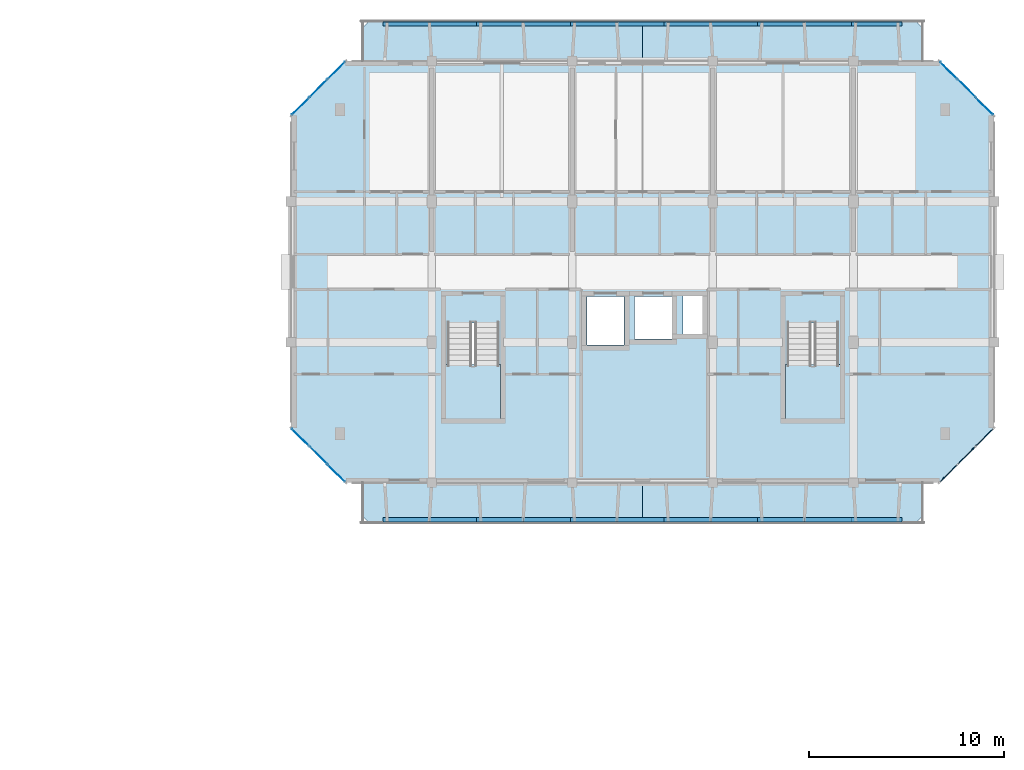
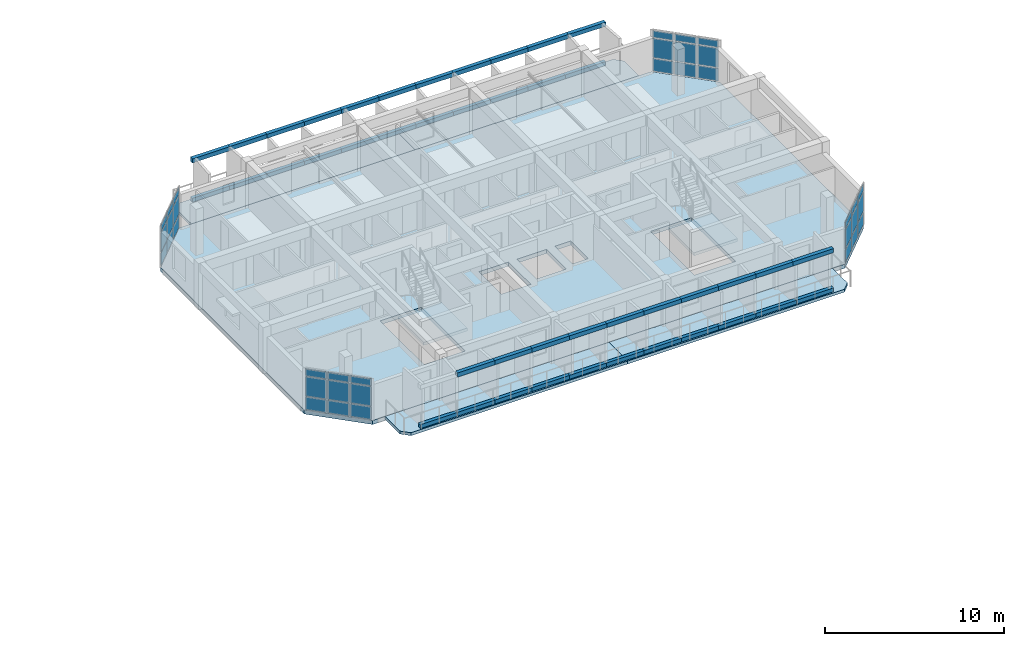
# One storey, part 14 of 44: 79 plates, 7 slabs, 6 elements without a shape of their own.
"""IFC4 building model written with IfcOpenShell, lengths in metres."""

from ifc_helpers import new_model, si_unit, direction, frame, origin, origin_2d, place, context, subcontext, project, spatial, polyline, rectangle, outline, extrude, material, layer, layer_set, type_object, element, aggregate, save


model = new_model("IFC4")

# Units and contexts
model_context = context("Model", 3, precision=1e-05, world=origin(), true_north=direction((0.0, 1.0)))
body_context = subcontext(model_context, "Body", "Model", "MODEL_VIEW")
ifc_project = project(units=[si_unit("LENGTHUNIT", "METRE"), si_unit("AREAUNIT", "SQUARE_METRE"), si_unit("VOLUMEUNIT", "CUBIC_METRE"), si_unit("PLANEANGLEUNIT", "RADIAN"), si_unit("MASSUNIT", "GRAM", prefix="KILO")], contexts=[model_context])

# Site, building, storey
site_placement = place(None, origin())
site = spatial("IfcSite", under=ifc_project, at=site_placement, CompositionType="ELEMENT")
building_placement = place(site_placement, origin())
building = spatial("IfcBuilding", under=site, at=building_placement, Name="Ochrevale Crest", CompositionType="ELEMENT")
storey_placement = place(building_placement, frame((0.0, 0.0, 21.300048828125)))
storey = spatial("IfcBuildingStorey", under=building, at=storey_placement, Name="L06", CompositionType="ELEMENT", Elevation=21.300048828125)

# Curtain wall, plates
ifc_material_1 = material(Name="Anodised aluminium 6063-T5", Category="aluminium")
ifc_layer_1 = layer(ifc_material_1, 0.14990234375)
ifc_layer_set_1 = layer_set([ifc_layer_1], Name="Anodised aluminium 6063-T5")
curtain_wall_type_1 = type_object("IfcCurtainWallType", Name="CW-WG-240x285", PredefinedType="NOTDEFINED", material=ifc_layer_set_1)
curtain_wall_1_placement = place(storey_placement, origin())
curtain_wall_1 = element("IfcCurtainWall", 1, at=curtain_wall_1_placement, inside=storey, type_object=curtain_wall_type_1, Name="Block D L06 chamfered corner wintergarden curtain wall 4", PredefinedType="NOTDEFINED")
ifc_material_2 = material(Name="Double-glazed low-E insulated glass unit", Category="glass")
ifc_layer_2 = layer(ifc_material_2, 0.028076171875)
ifc_layer_set_2 = layer_set([ifc_layer_2], Name="Double-glazed low-E insulated glass unit")
plate_type_1 = type_object("IfcPlateType", Name="CW-PNL-IGU28", PredefinedType="CURTAIN_PANEL", material=ifc_layer_set_2)
plate_1_placement = place(storey_placement, frame((165.1201171875, 91.280029296875, 0.06005859375), z_axis=(0.0, 0.0, 1.0), x_axis=(-0.707106781187, 0.707106781187, 0.0)))
plate_1 = element("IfcPlate", 2, at=plate_1_placement, type_object=plate_type_1, Name="CW15 panel 1.1", PredefinedType="CURTAIN_PANEL", context=body_context, shape_type="SweptSolid", body=[
    extrude(rectangle(XDim=1.20751953125, YDim=0.028076171875, at=origin_2d()), origin(), (0.0, 0.0, 1.0), 0.860107421875),
])
plate_2_placement = place(storey_placement, frame((165.1201171875, 91.280029296875, 0.97998046875), z_axis=(0.0, 0.0, 1.0), x_axis=(-0.707106781187, 0.707106781187, 0.0)))
plate_2 = element("IfcPlate", 3, at=plate_2_placement, type_object=plate_type_1, Name="CW15 panel 1.2", PredefinedType="CURTAIN_PANEL", context=body_context, shape_type="SweptSolid", body=[
    extrude(rectangle(XDim=1.20751953125, YDim=0.028076171875, at=origin_2d()), origin(), (0.0, 0.0, 1.0), 1.31494140625),
])
plate_3_placement = place(storey_placement, frame((165.1201171875, 91.280029296875, 2.35498046875), z_axis=(0.0, 0.0, 1.0), x_axis=(-0.707106781187, 0.707106781187, 0.0)))
plate_3 = element("IfcPlate", 4, at=plate_3_placement, type_object=plate_type_1, Name="CW15 panel 1.3", PredefinedType="CURTAIN_PANEL", context=body_context, shape_type="SweptSolid", body=[
    extrude(rectangle(XDim=1.20751953125, YDim=0.028076171875, at=origin_2d()), origin(), (0.0, 0.0, 1.0), 0.4599609375),
])
plate_4_placement = place(storey_placement, frame((164.199951171875, 92.199951171875, 0.06005859375), z_axis=(0.0, 0.0, 1.0), x_axis=(-0.707106781187, 0.707106781187, 0.0)))
plate_4 = element("IfcPlate", 5, at=plate_4_placement, type_object=plate_type_1, Name="CW15 panel 2.1", PredefinedType="CURTAIN_PANEL", context=body_context, shape_type="SweptSolid", body=[
    extrude(rectangle(XDim=1.244873046875, YDim=0.028076171875, at=origin_2d()), origin(), (0.0, 0.0, 1.0), 0.860107421875),
])
plate_5_placement = place(storey_placement, frame((164.199951171875, 92.199951171875, 0.97998046875), z_axis=(0.0, 0.0, 1.0), x_axis=(-0.707106781187, 0.707106781187, 0.0)))
plate_5 = element("IfcPlate", 6, at=plate_5_placement, type_object=plate_type_1, Name="CW15 panel 2.2", PredefinedType="CURTAIN_PANEL", context=body_context, shape_type="SweptSolid", body=[
    extrude(rectangle(XDim=1.244873046875, YDim=0.028076171875, at=origin_2d()), origin(), (0.0, 0.0, 1.0), 1.31494140625),
])
plate_6_placement = place(storey_placement, frame((164.199951171875, 92.199951171875, 2.35498046875), z_axis=(0.0, 0.0, 1.0), x_axis=(-0.707106781187, 0.707106781187, 0.0)))
plate_6 = element("IfcPlate", 7, at=plate_6_placement, type_object=plate_type_1, Name="CW15 panel 2.3", PredefinedType="CURTAIN_PANEL", context=body_context, shape_type="SweptSolid", body=[
    extrude(rectangle(XDim=1.244873046875, YDim=0.028076171875, at=origin_2d()), origin(), (0.0, 0.0, 1.0), 0.4599609375),
])
plate_7_placement = place(storey_placement, frame((163.280029296875, 93.1201171875, 0.06005859375), z_axis=(0.0, 0.0, 1.0), x_axis=(-0.707106781187, 0.707106781187, 0.0)))
plate_7 = element("IfcPlate", 8, at=plate_7_placement, type_object=plate_type_1, Name="CW15 panel 3.1", PredefinedType="CURTAIN_PANEL", context=body_context, shape_type="SweptSolid", body=[
    extrude(rectangle(XDim=1.20751953125, YDim=0.028076171875, at=origin_2d()), origin(), (0.0, 0.0, 1.0), 0.860107421875),
])
plate_8_placement = place(storey_placement, frame((163.280029296875, 93.1201171875, 0.97998046875), z_axis=(0.0, 0.0, 1.0), x_axis=(-0.707106781187, 0.707106781187, 0.0)))
plate_8 = element("IfcPlate", 9, at=plate_8_placement, type_object=plate_type_1, Name="CW15 panel 3.2", PredefinedType="CURTAIN_PANEL", context=body_context, shape_type="SweptSolid", body=[
    extrude(rectangle(XDim=1.20751953125, YDim=0.028076171875, at=origin_2d()), origin(), (0.0, 0.0, 1.0), 1.31494140625),
])
plate_9_placement = place(storey_placement, frame((163.280029296875, 93.1201171875, 2.35498046875), z_axis=(0.0, 0.0, 1.0), x_axis=(-0.707106781187, 0.707106781187, 0.0)))
plate_9 = element("IfcPlate", 10, at=plate_9_placement, type_object=plate_type_1, Name="CW15 panel 3.3", PredefinedType="CURTAIN_PANEL", context=body_context, shape_type="SweptSolid", body=[
    extrude(rectangle(XDim=1.20751953125, YDim=0.028076171875, at=origin_2d()), origin(), (0.0, 0.0, 1.0), 0.4599609375),
])
aggregate(curtain_wall_1, [plate_1, plate_2, plate_3, plate_4, plate_5, plate_6, plate_7, plate_8, plate_9])

ifc_layer_3 = layer(ifc_material_1, 0.14990234375)
ifc_layer_set_3 = layer_set([ifc_layer_3], Name="Anodised aluminium 6063-T5")
curtain_wall_type_2 = type_object("IfcCurtainWallType", Name="CW-WG-320x285", PredefinedType="NOTDEFINED", material=ifc_layer_set_3)
curtain_wall_2_placement = place(storey_placement, origin())
curtain_wall_2 = element("IfcCurtainWall", 11, at=curtain_wall_2_placement, inside=storey, type_object=curtain_wall_type_2, Name="Block D L06 chamfered corner wintergarden curtain wall 6", PredefinedType="NOTDEFINED")
plate_10_placement = place(storey_placement, frame((131.920166015625, 93.1201171875, 0.06005859375), z_axis=(0.0, 0.0, 1.0), x_axis=(-0.707106781187, -0.707106781187, 0.0)))
plate_10 = element("IfcPlate", 12, at=plate_10_placement, type_object=plate_type_1, Name="CW17 panel 1.1", PredefinedType="CURTAIN_PANEL", context=body_context, shape_type="SweptSolid", body=[
    extrude(rectangle(XDim=1.20751953125, YDim=0.028076171875, at=origin_2d()), origin(), (0.0, 0.0, 1.0), 0.860107421875),
])
plate_11_placement = place(storey_placement, frame((131.920166015625, 93.1201171875, 0.97998046875), z_axis=(0.0, 0.0, 1.0), x_axis=(-0.707106781187, -0.707106781187, 0.0)))
plate_11 = element("IfcPlate", 13, at=plate_11_placement, type_object=plate_type_1, Name="CW17 panel 1.2", PredefinedType="CURTAIN_PANEL", context=body_context, shape_type="SweptSolid", body=[
    extrude(rectangle(XDim=1.20751953125, YDim=0.028076171875, at=origin_2d()), origin(), (0.0, 0.0, 1.0), 1.31494140625),
])
plate_12_placement = place(storey_placement, frame((131.920166015625, 93.1201171875, 2.35498046875), z_axis=(0.0, 0.0, 1.0), x_axis=(-0.707106781187, -0.707106781187, 0.0)))
plate_12 = element("IfcPlate", 14, at=plate_12_placement, type_object=plate_type_1, Name="CW17 panel 1.3", PredefinedType="CURTAIN_PANEL", context=body_context, shape_type="SweptSolid", body=[
    extrude(rectangle(XDim=1.20751953125, YDim=0.028076171875, at=origin_2d()), origin(), (0.0, 0.0, 1.0), 0.4599609375),
])
plate_13_placement = place(storey_placement, frame((131.0, 92.199951171875, 0.06005859375), z_axis=(0.0, 0.0, 1.0), x_axis=(-0.707106781187, -0.707106781187, 0.0)))
plate_13 = element("IfcPlate", 15, at=plate_13_placement, type_object=plate_type_1, Name="CW17 panel 2.1", PredefinedType="CURTAIN_PANEL", context=body_context, shape_type="SweptSolid", body=[
    extrude(rectangle(XDim=1.244873046875, YDim=0.028076171875, at=origin_2d()), origin(), (0.0, 0.0, 1.0), 0.860107421875),
])
plate_14_placement = place(storey_placement, frame((131.0, 92.199951171875, 0.97998046875), z_axis=(0.0, 0.0, 1.0), x_axis=(-0.707106781187, -0.707106781187, 0.0)))
plate_14 = element("IfcPlate", 16, at=plate_14_placement, type_object=plate_type_1, Name="CW17 panel 2.2", PredefinedType="CURTAIN_PANEL", context=body_context, shape_type="SweptSolid", body=[
    extrude(rectangle(XDim=1.244873046875, YDim=0.028076171875, at=origin_2d()), origin(), (0.0, 0.0, 1.0), 1.31494140625),
])
plate_15_placement = place(storey_placement, frame((131.0, 92.199951171875, 2.35498046875), z_axis=(0.0, 0.0, 1.0), x_axis=(-0.707106781187, -0.707106781187, 0.0)))
plate_15 = element("IfcPlate", 17, at=plate_15_placement, type_object=plate_type_1, Name="CW17 panel 2.3", PredefinedType="CURTAIN_PANEL", context=body_context, shape_type="SweptSolid", body=[
    extrude(rectangle(XDim=1.244873046875, YDim=0.028076171875, at=origin_2d()), origin(), (0.0, 0.0, 1.0), 0.4599609375),
])
plate_16_placement = place(storey_placement, frame((130.079833984375, 91.280029296875, 0.06005859375), z_axis=(0.0, 0.0, 1.0), x_axis=(-0.707106781187, -0.707106781187, 0.0)))
plate_16 = element("IfcPlate", 18, at=plate_16_placement, type_object=plate_type_1, Name="CW17 panel 3.1", PredefinedType="CURTAIN_PANEL", context=body_context, shape_type="SweptSolid", body=[
    extrude(rectangle(XDim=1.20751953125, YDim=0.028076171875, at=origin_2d()), origin(), (0.0, 0.0, 1.0), 0.860107421875),
])
plate_17_placement = place(storey_placement, frame((130.079833984375, 91.280029296875, 0.97998046875), z_axis=(0.0, 0.0, 1.0), x_axis=(-0.707106781187, -0.707106781187, 0.0)))
plate_17 = element("IfcPlate", 19, at=plate_17_placement, type_object=plate_type_1, Name="CW17 panel 3.2", PredefinedType="CURTAIN_PANEL", context=body_context, shape_type="SweptSolid", body=[
    extrude(rectangle(XDim=1.20751953125, YDim=0.028076171875, at=origin_2d()), origin(), (0.0, 0.0, 1.0), 1.31494140625),
])
plate_18_placement = place(storey_placement, frame((130.079833984375, 91.280029296875, 2.35498046875), z_axis=(0.0, 0.0, 1.0), x_axis=(-0.707106781187, -0.707106781187, 0.0)))
plate_18 = element("IfcPlate", 20, at=plate_18_placement, type_object=plate_type_1, Name="CW17 panel 3.3", PredefinedType="CURTAIN_PANEL", context=body_context, shape_type="SweptSolid", body=[
    extrude(rectangle(XDim=1.20751953125, YDim=0.028076171875, at=origin_2d()), origin(), (0.0, 0.0, 1.0), 0.4599609375),
])
aggregate(curtain_wall_2, [plate_10, plate_11, plate_12, plate_13, plate_14, plate_15, plate_16, plate_17, plate_18])

ifc_layer_4 = layer(ifc_material_1, 0.14990234375)
ifc_layer_set_4 = layer_set([ifc_layer_4], Name="Anodised aluminium 6063-T5")
curtain_wall_type_3 = type_object("IfcCurtainWallType", Name="CW-WG-420x285", PredefinedType="NOTDEFINED", material=ifc_layer_set_4)
curtain_wall_3_placement = place(storey_placement, origin())
curtain_wall_3 = element("IfcCurtainWall", 21, at=curtain_wall_3_placement, inside=storey, type_object=curtain_wall_type_3, Name="Block D L06 chamfered corner wintergarden curtain wall 8", PredefinedType="NOTDEFINED")
plate_19_placement = place(storey_placement, frame((130.079833984375, 74.320068359375, 0.06005859375), z_axis=(0.0, 0.0, 1.0), x_axis=(0.707106781187, -0.707106781187, 0.0)))
plate_19 = element("IfcPlate", 22, at=plate_19_placement, type_object=plate_type_1, Name="CW22 panel 1.1", PredefinedType="CURTAIN_PANEL", context=body_context, shape_type="SweptSolid", body=[
    extrude(rectangle(XDim=1.20751953125, YDim=0.028076171875, at=origin_2d()), origin(), (0.0, 0.0, 1.0), 0.860107421875),
])
plate_20_placement = place(storey_placement, frame((130.079833984375, 74.320068359375, 0.97998046875), z_axis=(0.0, 0.0, 1.0), x_axis=(0.707106781187, -0.707106781187, 0.0)))
plate_20 = element("IfcPlate", 23, at=plate_20_placement, type_object=plate_type_1, Name="CW22 panel 1.2", PredefinedType="CURTAIN_PANEL", context=body_context, shape_type="SweptSolid", body=[
    extrude(rectangle(XDim=1.20751953125, YDim=0.028076171875, at=origin_2d()), origin(), (0.0, 0.0, 1.0), 1.31494140625),
])
plate_21_placement = place(storey_placement, frame((130.079833984375, 74.320068359375, 2.35498046875), z_axis=(0.0, 0.0, 1.0), x_axis=(0.707106781187, -0.707106781187, 0.0)))
plate_21 = element("IfcPlate", 24, at=plate_21_placement, type_object=plate_type_1, Name="CW22 panel 1.3", PredefinedType="CURTAIN_PANEL", context=body_context, shape_type="SweptSolid", body=[
    extrude(rectangle(XDim=1.20751953125, YDim=0.028076171875, at=origin_2d()), origin(), (0.0, 0.0, 1.0), 0.4599609375),
])
plate_22_placement = place(storey_placement, frame((131.0, 73.39990234375, 0.06005859375), z_axis=(0.0, 0.0, 1.0), x_axis=(0.707106781187, -0.707106781187, 0.0)))
plate_22 = element("IfcPlate", 25, at=plate_22_placement, type_object=plate_type_1, Name="CW22 panel 2.1", PredefinedType="CURTAIN_PANEL", context=body_context, shape_type="SweptSolid", body=[
    extrude(rectangle(XDim=1.244873046875, YDim=0.028076171875, at=origin_2d()), origin(), (0.0, 0.0, 1.0), 0.860107421875),
])
plate_23_placement = place(storey_placement, frame((131.0, 73.39990234375, 0.97998046875), z_axis=(0.0, 0.0, 1.0), x_axis=(0.707106781187, -0.707106781187, 0.0)))
plate_23 = element("IfcPlate", 26, at=plate_23_placement, type_object=plate_type_1, Name="CW22 panel 2.2", PredefinedType="CURTAIN_PANEL", context=body_context, shape_type="SweptSolid", body=[
    extrude(rectangle(XDim=1.244873046875, YDim=0.028076171875, at=origin_2d()), origin(), (0.0, 0.0, 1.0), 1.31494140625),
])
plate_24_placement = place(storey_placement, frame((131.0, 73.39990234375, 2.35498046875), z_axis=(0.0, 0.0, 1.0), x_axis=(0.707106781187, -0.707106781187, 0.0)))
plate_24 = element("IfcPlate", 27, at=plate_24_placement, type_object=plate_type_1, Name="CW22 panel 2.3", PredefinedType="CURTAIN_PANEL", context=body_context, shape_type="SweptSolid", body=[
    extrude(rectangle(XDim=1.244873046875, YDim=0.028076171875, at=origin_2d()), origin(), (0.0, 0.0, 1.0), 0.4599609375),
])
plate_25_placement = place(storey_placement, frame((131.920166015625, 72.47998046875, 0.06005859375), z_axis=(0.0, 0.0, 1.0), x_axis=(0.707106781187, -0.707106781187, 0.0)))
plate_25 = element("IfcPlate", 28, at=plate_25_placement, type_object=plate_type_1, Name="CW22 panel 3.1", PredefinedType="CURTAIN_PANEL", context=body_context, shape_type="SweptSolid", body=[
    extrude(rectangle(XDim=1.20751953125, YDim=0.028076171875, at=origin_2d()), origin(), (0.0, 0.0, 1.0), 0.860107421875),
])
plate_26_placement = place(storey_placement, frame((131.920166015625, 72.47998046875, 0.97998046875), z_axis=(0.0, 0.0, 1.0), x_axis=(0.707106781187, -0.707106781187, 0.0)))
plate_26 = element("IfcPlate", 29, at=plate_26_placement, type_object=plate_type_1, Name="CW22 panel 3.2", PredefinedType="CURTAIN_PANEL", context=body_context, shape_type="SweptSolid", body=[
    extrude(rectangle(XDim=1.20751953125, YDim=0.028076171875, at=origin_2d()), origin(), (0.0, 0.0, 1.0), 1.31494140625),
])
plate_27_placement = place(storey_placement, frame((131.920166015625, 72.47998046875, 2.35498046875), z_axis=(0.0, 0.0, 1.0), x_axis=(0.707106781187, -0.707106781187, 0.0)))
plate_27 = element("IfcPlate", 30, at=plate_27_placement, type_object=plate_type_1, Name="CW22 panel 3.3", PredefinedType="CURTAIN_PANEL", context=body_context, shape_type="SweptSolid", body=[
    extrude(rectangle(XDim=1.20751953125, YDim=0.028076171875, at=origin_2d()), origin(), (0.0, 0.0, 1.0), 0.4599609375),
])
aggregate(curtain_wall_3, [plate_19, plate_20, plate_21, plate_22, plate_23, plate_24, plate_25, plate_26, plate_27])

ifc_layer_5 = layer(ifc_material_1, 0.14990234375)
ifc_layer_set_5 = layer_set([ifc_layer_5], Name="Anodised aluminium 6063-T5")
curtain_wall_type_4 = type_object("IfcCurtainWallType", Name="CW-WG-360x285", PredefinedType="NOTDEFINED", material=ifc_layer_set_5)
curtain_wall_4_placement = place(storey_placement, origin())
curtain_wall_4 = element("IfcCurtainWall", 31, at=curtain_wall_4_placement, inside=storey, type_object=curtain_wall_type_4, Name="Block D L06 chamfered corner wintergarden curtain wall 2", PredefinedType="NOTDEFINED")
ifc_material_3 = material(Name="Acoustic laminated low-E insulated glass unit", Category="glass")
ifc_layer_6 = layer(ifc_material_3, 0.0380859375)
ifc_layer_set_6 = layer_set([ifc_layer_6], Name="Acoustic laminated low-E insulated glass unit")
plate_type_2 = type_object("IfcPlateType", Name="CW-PNL-IGU38", PredefinedType="CURTAIN_PANEL", material=ifc_layer_set_6)
plate_28_placement = place(storey_placement, frame((163.280029296875, 72.47998046875, 0.06005859375), z_axis=(0.0, 0.0, 1.0), x_axis=(0.707106781187, 0.707106781187, 0.0)))
plate_28 = element("IfcPlate", 32, at=plate_28_placement, type_object=plate_type_2, Name="CW18 panel 1.1", PredefinedType="CURTAIN_PANEL", context=body_context, shape_type="SweptSolid", body=[
    extrude(rectangle(XDim=1.20751953125, YDim=0.0380859375, at=origin_2d()), origin(), (0.0, 0.0, 1.0), 0.860107421875),
])
plate_29_placement = place(storey_placement, frame((163.280029296875, 72.47998046875, 0.97998046875), z_axis=(0.0, 0.0, 1.0), x_axis=(0.707106781187, 0.707106781187, 0.0)))
plate_29 = element("IfcPlate", 33, at=plate_29_placement, type_object=plate_type_2, Name="CW18 panel 1.2", PredefinedType="CURTAIN_PANEL", context=body_context, shape_type="SweptSolid", body=[
    extrude(rectangle(XDim=1.20751953125, YDim=0.0380859375, at=origin_2d()), origin(), (0.0, 0.0, 1.0), 1.31494140625),
])
plate_30_placement = place(storey_placement, frame((163.280029296875, 72.47998046875, 2.35498046875), z_axis=(0.0, 0.0, 1.0), x_axis=(0.707106781187, 0.707106781187, 0.0)))
plate_30 = element("IfcPlate", 34, at=plate_30_placement, type_object=plate_type_2, Name="CW18 panel 1.3", PredefinedType="CURTAIN_PANEL", context=body_context, shape_type="SweptSolid", body=[
    extrude(rectangle(XDim=1.20751953125, YDim=0.0380859375, at=origin_2d()), origin(), (0.0, 0.0, 1.0), 0.4599609375),
])
plate_31_placement = place(storey_placement, frame((164.199951171875, 73.39990234375, 0.06005859375), z_axis=(0.0, 0.0, 1.0), x_axis=(0.707106781187, 0.707106781187, 0.0)))
plate_31 = element("IfcPlate", 35, at=plate_31_placement, type_object=plate_type_2, Name="CW18 panel 2.1", PredefinedType="CURTAIN_PANEL", context=body_context, shape_type="SweptSolid", body=[
    extrude(rectangle(XDim=1.244873046875, YDim=0.0380859375, at=origin_2d()), origin(), (0.0, 0.0, 1.0), 0.860107421875),
])
plate_32_placement = place(storey_placement, frame((164.199951171875, 73.39990234375, 0.97998046875), z_axis=(0.0, 0.0, 1.0), x_axis=(0.707106781187, 0.707106781187, 0.0)))
plate_32 = element("IfcPlate", 36, at=plate_32_placement, type_object=plate_type_2, Name="CW18 panel 2.2", PredefinedType="CURTAIN_PANEL", context=body_context, shape_type="SweptSolid", body=[
    extrude(rectangle(XDim=1.244873046875, YDim=0.0380859375, at=origin_2d()), origin(), (0.0, 0.0, 1.0), 1.31494140625),
])
plate_33_placement = place(storey_placement, frame((164.199951171875, 73.39990234375, 2.35498046875), z_axis=(0.0, 0.0, 1.0), x_axis=(0.707106781187, 0.707106781187, 0.0)))
plate_33 = element("IfcPlate", 37, at=plate_33_placement, type_object=plate_type_2, Name="CW18 panel 2.3", PredefinedType="CURTAIN_PANEL", context=body_context, shape_type="SweptSolid", body=[
    extrude(rectangle(XDim=1.244873046875, YDim=0.0380859375, at=origin_2d()), origin(), (0.0, 0.0, 1.0), 0.4599609375),
])
plate_34_placement = place(storey_placement, frame((165.1201171875, 74.320068359375, 0.06005859375), z_axis=(0.0, 0.0, 1.0), x_axis=(0.707106781187, 0.707106781187, 0.0)))
plate_34 = element("IfcPlate", 38, at=plate_34_placement, type_object=plate_type_2, Name="CW18 panel 3.1", PredefinedType="CURTAIN_PANEL", context=body_context, shape_type="SweptSolid", body=[
    extrude(rectangle(XDim=1.20751953125, YDim=0.0380859375, at=origin_2d()), origin(), (0.0, 0.0, 1.0), 0.860107421875),
])
plate_35_placement = place(storey_placement, frame((165.1201171875, 74.320068359375, 0.97998046875), z_axis=(0.0, 0.0, 1.0), x_axis=(0.707106781187, 0.707106781187, 0.0)))
plate_35 = element("IfcPlate", 39, at=plate_35_placement, type_object=plate_type_2, Name="CW18 panel 3.2", PredefinedType="CURTAIN_PANEL", context=body_context, shape_type="SweptSolid", body=[
    extrude(rectangle(XDim=1.20751953125, YDim=0.0380859375, at=origin_2d()), origin(), (0.0, 0.0, 1.0), 1.31494140625),
])
plate_36_placement = place(storey_placement, frame((165.1201171875, 74.320068359375, 2.35498046875), z_axis=(0.0, 0.0, 1.0), x_axis=(0.707106781187, 0.707106781187, 0.0)))
plate_36 = element("IfcPlate", 40, at=plate_36_placement, type_object=plate_type_2, Name="CW18 panel 3.3", PredefinedType="CURTAIN_PANEL", context=body_context, shape_type="SweptSolid", body=[
    extrude(rectangle(XDim=1.20751953125, YDim=0.0380859375, at=origin_2d()), origin(), (0.0, 0.0, 1.0), 0.4599609375),
])
aggregate(curtain_wall_4, [plate_28, plate_29, plate_30, plate_31, plate_32, plate_33, plate_34, plate_35, plate_36])

# Plates
ifc_material_4 = material(Name="Precast concrete C40/50", Category="concrete")
ifc_layer_7 = layer(ifc_material_4, 0.06005859375)
ifc_layer_set_7 = layer_set([ifc_layer_7], Name="Precast concrete C40/50")
plate_type_3 = type_object("IfcPlateType", Name="PLT-HC-HEAD-60", PredefinedType="USERDEFINED", material=ifc_layer_set_7)
for number, where, z_axis, x_axis, name in (
    (41, (138.0, 70.10009765625, 2.669921875), (0.0, 0.0, 1.0), (1.0, 0.0, 0.0), "Block D L06 S honeycomb arched lintel fascia 2"),
    (42, (140.39990234375, 70.10009765625, 2.669921875), (0.0, 0.0, 1.0), (1.0, 0.0, 0.0), "Block D L06 S honeycomb arched lintel fascia 3"),
    (43, (142.800048828125, 70.10009765625, 2.669921875), (0.0, 0.0, 1.0), (1.0, 0.0, 0.0), "Block D L06 S honeycomb arched lintel fascia 4"),
    (44, (145.199951171875, 70.10009765625, 2.669921875), (0.0, 0.0, 1.0), (1.0, 0.0, 0.0), "Block D L06 S honeycomb arched lintel fascia 5"),
    (45, (147.60009765625, 70.10009765625, 2.669921875), (0.0, 0.0, 1.0), (1.0, 0.0, 0.0), "Block D L06 S honeycomb arched lintel fascia 6"),
    (46, (150.0, 70.10009765625, 2.669921875), (0.0, 0.0, 1.0), (1.0, 0.0, 0.0), "Block D L06 S honeycomb arched lintel fascia 7"),
    (47, (152.39990234375, 70.10009765625, 2.669921875), (0.0, 0.0, 1.0), (1.0, 0.0, 0.0), "Block D L06 S honeycomb arched lintel fascia 8"),
    (48, (154.800048828125, 70.10009765625, 2.669921875), (0.0, 0.0, 1.0), (1.0, 0.0, 0.0), "Block D L06 S honeycomb arched lintel fascia 9"),
    (49, (157.199951171875, 70.10009765625, 2.669921875), (0.0, 0.0, 1.0), (1.0, 0.0, 0.0), "Block D L06 S honeycomb arched lintel fascia 10"),
    (50, (159.60009765625, 70.10009765625, 2.669921875), (0.0, 0.0, 1.0), (1.0, 0.0, 0.0), "Block D L06 S honeycomb arched lintel fascia 11"),
    (51, (135.60009765625, 95.5, 2.669921875), (0.0, 0.0, 1.0), (1.0, 0.0, 0.0), "Block D L06 N honeycomb arched lintel fascia 1"),
    (52, (138.0, 95.5, 2.669921875), (0.0, 0.0, 1.0), (1.0, 0.0, 0.0), "Block D L06 N honeycomb arched lintel fascia 2"),
    (53, (140.39990234375, 95.5, 2.669921875), (0.0, 0.0, 1.0), (1.0, 0.0, 0.0), "Block D L06 N honeycomb arched lintel fascia 3"),
    (54, (142.800048828125, 95.5, 2.669921875), (0.0, 0.0, 1.0), (1.0, 0.0, 0.0), "Block D L06 N honeycomb arched lintel fascia 4"),
    (55, (145.199951171875, 95.5, 2.669921875), (0.0, 0.0, 1.0), (1.0, 0.0, 0.0), "Block D L06 N honeycomb arched lintel fascia 5"),
    (56, (147.60009765625, 95.5, 2.669921875), (0.0, 0.0, 1.0), (1.0, 0.0, 0.0), "Block D L06 N honeycomb arched lintel fascia 6"),
    (57, (150.0, 95.5, 2.669921875), (0.0, 0.0, 1.0), (1.0, 0.0, 0.0), "Block D L06 N honeycomb arched lintel fascia 7"),
    (58, (152.39990234375, 95.5, 2.669921875), (0.0, 0.0, 1.0), (1.0, 0.0, 0.0), "Block D L06 N honeycomb arched lintel fascia 8"),
    (59, (154.800048828125, 95.5, 2.669921875), (0.0, 0.0, 1.0), (1.0, 0.0, 0.0), "Block D L06 N honeycomb arched lintel fascia 9"),
    (60, (157.199951171875, 95.5, 2.669921875), (0.0, 0.0, 1.0), (1.0, 0.0, 0.0), "Block D L06 N honeycomb arched lintel fascia 10"),
    (61, (159.60009765625, 95.5, 2.669921875), (0.0, 0.0, 1.0), (1.0, 0.0, 0.0), "Block D L06 N honeycomb arched lintel fascia 11"),
):
    element("IfcPlate", number, at=place(storey_placement, frame(where, z_axis=z_axis, x_axis=x_axis)), inside=storey, type_object=plate_type_3, Name=name, ObjectType="FACADE FASCIA PLATE", PredefinedType="USERDEFINED", context=body_context, shape_type="SweptSolid", body=[
        extrude(rectangle(XDim=2.60009765625, YDim=0.239990234375, at=origin_2d()), origin(), (0.0, 0.0, 1.0), 0.280029296875),
    ])
ifc_layer_8 = layer(ifc_material_4, 0.044921875)
ifc_layer_set_8 = layer_set([ifc_layer_8], Name="Precast concrete C40/50")
plate_type_4 = type_object("IfcPlateType", Name="PLT-HC-SILL-45", PredefinedType="USERDEFINED", material=ifc_layer_set_8)
for number, where, z_axis, x_axis, name in (
    (62, (135.60009765625, 70.10009765625, 0.0), (0.0, 0.0, 1.0), (1.0, 0.0, 0.0), "Block D L06 S honeycomb sill coping plate 1"),
    (63, (138.0, 70.10009765625, 0.0), (0.0, 0.0, 1.0), (1.0, 0.0, 0.0), "Block D L06 S honeycomb sill coping plate 2"),
    (64, (140.39990234375, 70.10009765625, 0.0), (0.0, 0.0, 1.0), (1.0, 0.0, 0.0), "Block D L06 S honeycomb sill coping plate 3"),
    (65, (142.800048828125, 70.10009765625, 0.0), (0.0, 0.0, 1.0), (1.0, 0.0, 0.0), "Block D L06 S honeycomb sill coping plate 4"),
    (66, (145.199951171875, 70.10009765625, 0.0), (0.0, 0.0, 1.0), (1.0, 0.0, 0.0), "Block D L06 S honeycomb sill coping plate 5"),
    (67, (147.60009765625, 70.10009765625, 0.0), (0.0, 0.0, 1.0), (1.0, 0.0, 0.0), "Block D L06 S honeycomb sill coping plate 6"),
    (68, (150.0, 70.10009765625, 0.0), (0.0, 0.0, 1.0), (1.0, 0.0, 0.0), "Block D L06 S honeycomb sill coping plate 7"),
    (69, (152.39990234375, 70.10009765625, 0.0), (0.0, 0.0, 1.0), (1.0, 0.0, 0.0), "Block D L06 S honeycomb sill coping plate 8"),
    (70, (154.800048828125, 70.10009765625, 0.0), (0.0, 0.0, 1.0), (1.0, 0.0, 0.0), "Block D L06 S honeycomb sill coping plate 9"),
    (71, (157.199951171875, 70.10009765625, 0.0), (0.0, 0.0, 1.0), (1.0, 0.0, 0.0), "Block D L06 S honeycomb sill coping plate 10"),
    (72, (159.60009765625, 70.10009765625, 0.0), (0.0, 0.0, 1.0), (1.0, 0.0, 0.0), "Block D L06 S honeycomb sill coping plate 11"),
    (73, (135.60009765625, 95.5, 0.0), (0.0, 0.0, 1.0), (1.0, 0.0, 0.0), "Block D L06 N honeycomb sill coping plate 1"),
    (74, (138.0, 95.5, 0.0), (0.0, 0.0, 1.0), (1.0, 0.0, 0.0), "Block D L06 N honeycomb sill coping plate 2"),
    (75, (140.39990234375, 95.5, 0.0), (0.0, 0.0, 1.0), (1.0, 0.0, 0.0), "Block D L06 N honeycomb sill coping plate 3"),
    (76, (142.800048828125, 95.5, 0.0), (0.0, 0.0, 1.0), (1.0, 0.0, 0.0), "Block D L06 N honeycomb sill coping plate 4"),
    (77, (145.199951171875, 95.5, 0.0), (0.0, 0.0, 1.0), (1.0, 0.0, 0.0), "Block D L06 N honeycomb sill coping plate 5"),
    (78, (147.60009765625, 95.5, 0.0), (0.0, 0.0, 1.0), (1.0, 0.0, 0.0), "Block D L06 N honeycomb sill coping plate 6"),
    (79, (150.0, 95.5, 0.0), (0.0, 0.0, 1.0), (1.0, 0.0, 0.0), "Block D L06 N honeycomb sill coping plate 7"),
    (80, (152.39990234375, 95.5, 0.0), (0.0, 0.0, 1.0), (1.0, 0.0, 0.0), "Block D L06 N honeycomb sill coping plate 8"),
    (81, (154.800048828125, 95.5, 0.0), (0.0, 0.0, 1.0), (1.0, 0.0, 0.0), "Block D L06 N honeycomb sill coping plate 9"),
    (82, (157.199951171875, 95.5, 0.0), (0.0, 0.0, 1.0), (1.0, 0.0, 0.0), "Block D L06 N honeycomb sill coping plate 10"),
    (83, (159.60009765625, 95.5, 0.0), (0.0, 0.0, 1.0), (1.0, 0.0, 0.0), "Block D L06 N honeycomb sill coping plate 11"),
):
    element("IfcPlate", number, at=place(storey_placement, frame(where, z_axis=z_axis, x_axis=x_axis)), inside=storey, type_object=plate_type_4, Name=name, ObjectType="SILL COPING PLATE", PredefinedType="USERDEFINED", context=body_context, shape_type="SweptSolid", body=[
        extrude(rectangle(XDim=2.60009765625, YDim=0.219970703125, at=origin_2d()), origin(), (0.0, 0.0, 1.0), 0.260009765625),
    ])

# Slabs
ifc_layer_9 = layer(ifc_material_4, 0.199951171875)
ifc_layer_set_9 = layer_set([ifc_layer_9], Name="Precast concrete C40/50")
slab_type_1 = type_object("IfcSlabType", Name="SLB-BAL-200", PredefinedType="FLOOR", material=ifc_layer_set_9)
slab_1_placement = place(storey_placement, frame((0.0, 0.0, -0.199951171875)))
element("IfcSlab", 84, at=slab_1_placement, inside=storey, type_object=slab_type_1, Name="Block D L06 S1 precast loggia balcony slab", PredefinedType="FLOOR", context=body_context, shape_type="SweptSolid", body=[
    extrude(outline(polyline([(133.64990234375, 69.89990234375), (147.60009765625, 69.89990234375), (147.60009765625, 72.0), (133.199951171875, 72.0), (133.199951171875, 70.35009765625), (133.64990234375, 69.89990234375)])), origin(), (0.0, 0.0, 1.0), 0.199951171875),
])
slab_2_placement = place(storey_placement, frame((0.0, 0.0, -0.199951171875)))
element("IfcSlab", 85, at=slab_2_placement, inside=storey, type_object=slab_type_1, Name="Block D L06 S2 precast loggia balcony slab", PredefinedType="FLOOR", context=body_context, shape_type="SweptSolid", body=[
    extrude(outline(polyline([(147.60009765625, 69.89990234375), (161.550048828125, 69.89990234375), (162.0, 70.35009765625), (162.0, 72.0), (147.60009765625, 72.0), (147.60009765625, 69.89990234375)])), origin(), (0.0, 0.0, 1.0), 0.199951171875),
])
slab_3_placement = place(storey_placement, frame((0.0, 0.0, -0.199951171875)))
element("IfcSlab", 86, at=slab_3_placement, inside=storey, type_object=slab_type_1, Name="Block D L06 N1 precast loggia balcony slab", PredefinedType="FLOOR", context=body_context, shape_type="SweptSolid", body=[
    extrude(outline(polyline([(133.199951171875, 93.60009765625), (147.60009765625, 93.60009765625), (147.60009765625, 95.699951171875), (133.64990234375, 95.699951171875), (133.199951171875, 95.25), (133.199951171875, 93.60009765625)])), origin(), (0.0, 0.0, 1.0), 0.199951171875),
])
slab_4_placement = place(storey_placement, frame((0.0, 0.0, -0.199951171875)))
element("IfcSlab", 87, at=slab_4_placement, inside=storey, type_object=slab_type_1, Name="Block D L06 N2 precast loggia balcony slab", PredefinedType="FLOOR", context=body_context, shape_type="SweptSolid", body=[
    extrude(outline(polyline([(147.60009765625, 93.60009765625), (162.0, 93.60009765625), (162.0, 95.25), (161.550048828125, 95.699951171875), (147.60009765625, 95.699951171875), (147.60009765625, 93.60009765625)])), origin(), (0.0, 0.0, 1.0), 0.199951171875),
])
ifc_layer_10 = layer(ifc_material_4, 0.27490234375)
ifc_layer_set_10 = layer_set([ifc_layer_10], Name="Precast concrete C40/50")
slab_type_2 = type_object("IfcSlabType", Name="SLB-RES-275", PredefinedType="FLOOR", material=ifc_layer_set_10)
slab_5_placement = place(storey_placement, frame((0.0, 0.0, -0.275146484375)))
element("IfcSlab", 88, at=slab_5_placement, inside=storey, type_object=slab_type_2, Name="Block D L06 composite hollowcore floor slab", PredefinedType="FLOOR", context=body_context, shape_type="SweptSolid", body=[
    extrude(outline(polyline([(132.39990234375, 72.0), (162.800048828125, 72.0), (165.60009765625, 74.800048828125), (165.60009765625, 90.800048828125), (162.800048828125, 93.60009765625), (132.39990234375, 93.60009765625), (129.60009765625, 90.800048828125), (129.60009765625, 74.800048828125), (132.39990234375, 72.0)]), holes=[polyline([(137.60009765625, 80.175048828125), (137.60009765625, 75.27490234375), (140.25, 75.27490234375), (140.25, 80.175048828125), (137.60009765625, 80.175048828125)]), polyline([(155.0, 80.175048828125), (155.0, 75.27490234375), (157.64990234375, 75.27490234375), (157.64990234375, 80.175048828125), (155.0, 80.175048828125)]), polyline([(144.75, 79.050048828125), (146.64990234375, 79.050048828125), (146.64990234375, 81.550048828125), (144.75, 81.550048828125), (144.75, 79.050048828125)]), polyline([(147.199951171875, 79.35009765625), (149.10009765625, 79.35009765625), (149.10009765625, 81.550048828125), (147.199951171875, 81.550048828125), (147.199951171875, 79.35009765625)]), polyline([(149.669921875, 79.6201171875), (150.679931640625, 79.6201171875), (150.679931640625, 81.580078125), (149.669921875, 81.580078125), (149.669921875, 79.6201171875)])]), origin(), (0.0, 0.0, 1.0), 0.275146484375),
])

# Stair, slab
stair_type = type_object("IfcStairType", Name="ST-CORE-DOG", PredefinedType="HALF_TURN_STAIR", material=ifc_material_4)
stair_1_placement = place(storey_placement, origin())
stair_1 = element("IfcStair", 89, at=stair_1_placement, inside=storey, type_object=stair_type, Name="L06 Block D Fire Stair 1", PredefinedType="HALF_TURN_STAIR")
ifc_layer_11 = layer(ifc_material_4, 0.199951171875)
ifc_layer_set_11 = layer_set([ifc_layer_11], Name="Precast concrete C40/50")
slab_type_3 = type_object("IfcSlabType", Name="SLB-ST-LAND", PredefinedType="LANDING", material=ifc_layer_set_11)
slab_6_placement = place(storey_placement, frame((0.0, 0.0, 1.375)))
slab_6 = element("IfcSlab", 90, at=slab_6_placement, type_object=slab_type_3, Name="ST-D1 landing 1", PredefinedType="LANDING", context=body_context, shape_type="SweptSolid", body=[
    extrude(outline(polyline([(137.52001953125, 78.06494140625), (137.52001953125, 75.195068359375), (140.330078125, 75.195068359375), (140.330078125, 78.06494140625), (137.52001953125, 78.06494140625)])), origin(), (0.0, 0.0, 1.0), 0.199951171875),
])
aggregate(stair_1, [slab_6])

stair_2_placement = place(storey_placement, origin())
stair_2 = element("IfcStair", 91, at=stair_2_placement, inside=storey, type_object=stair_type, Name="L06 Block D Fire Stair 2", PredefinedType="HALF_TURN_STAIR")
slab_7_placement = place(storey_placement, frame((0.0, 0.0, 1.375)))
slab_7 = element("IfcSlab", 92, at=slab_7_placement, type_object=slab_type_3, Name="ST-D2 landing 1", PredefinedType="LANDING", context=body_context, shape_type="SweptSolid", body=[
    extrude(outline(polyline([(154.919921875, 78.06494140625), (154.919921875, 75.195068359375), (157.72998046875, 75.195068359375), (157.72998046875, 78.06494140625), (154.919921875, 78.06494140625)])), origin(), (0.0, 0.0, 1.0), 0.199951171875),
])
aggregate(stair_2, [slab_7])

save(model, "model.ifc")
